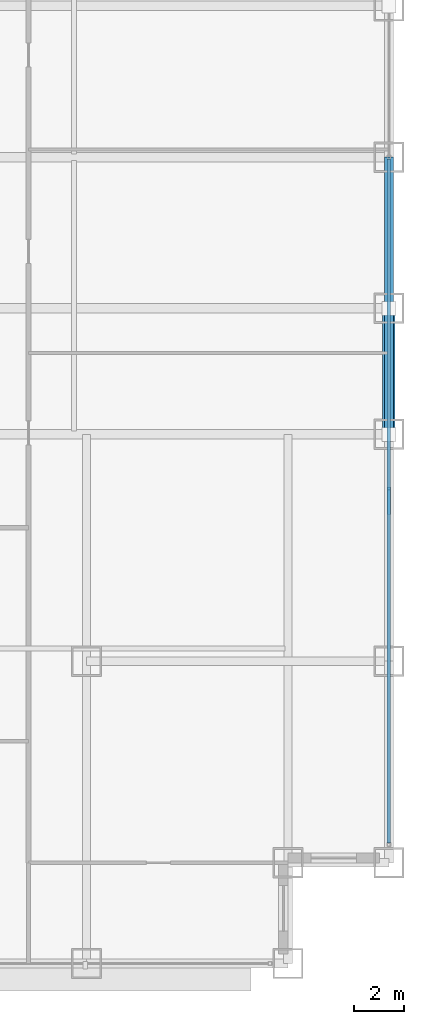
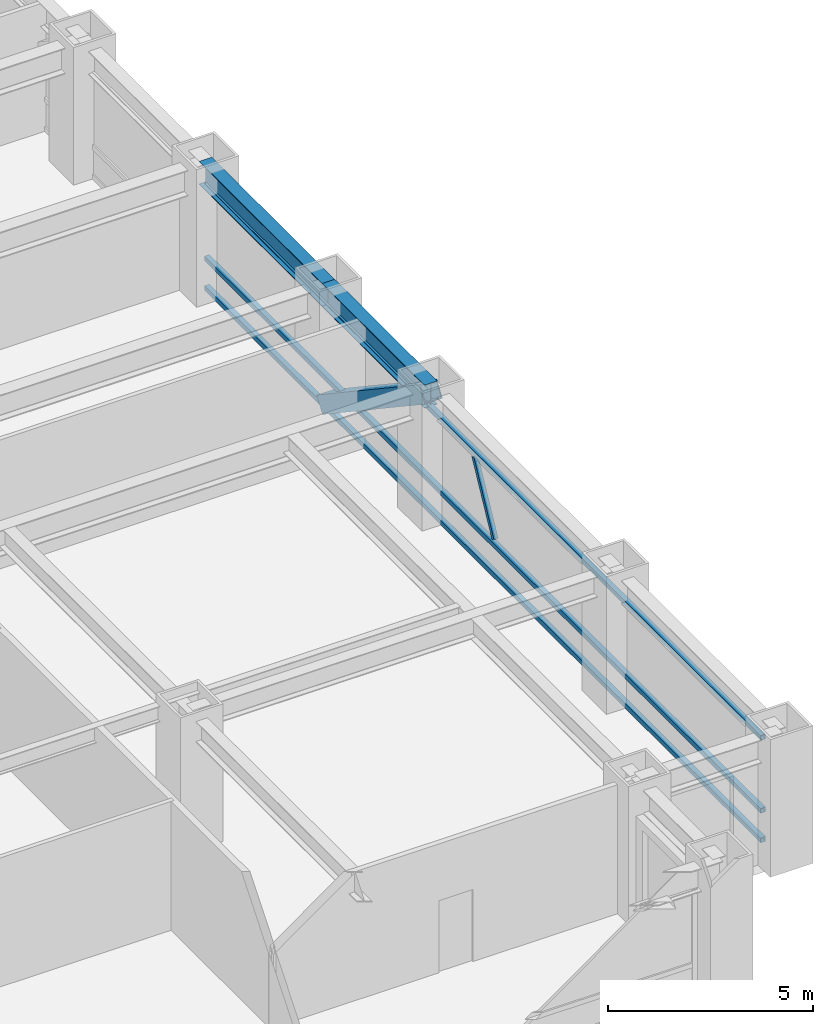
# One storey, part 13 of 32: 5 members, 2 beams, 1 element without a shape of its own.
"""IFC4 building model written with IfcOpenShell, lengths in metres."""

from ifc_helpers import new_model, si_unit, direction, frame, origin, origin_2d, place, context, subcontext, project, spatial, hollow_rectangle, i_section, extrude, source, transform, mapped, material, material_profile, profile_set, type_object, element, aggregate, save


model = new_model("IFC4")

# Units and contexts
model_context = context("Model", 3, precision=1e-05, world=origin(), true_north=direction((0.0, 1.0)))
body_context = subcontext(model_context, "Body", "Model", "MODEL_VIEW")
ifc_project = project(units=[si_unit("LENGTHUNIT", "METRE"), si_unit("AREAUNIT", "SQUARE_METRE"), si_unit("VOLUMEUNIT", "CUBIC_METRE"), si_unit("PLANEANGLEUNIT", "RADIAN"), si_unit("MASSUNIT", "GRAM", prefix="KILO")], contexts=[model_context])

# Site, building, storey
site_placement = place(None, origin())
site = spatial("IfcSite", under=ifc_project, at=site_placement, CompositionType="ELEMENT")
building_placement = place(site_placement, origin())
building = spatial("IfcBuilding", under=site, at=building_placement, Name="Khorayat Bourse Tower", CompositionType="ELEMENT")
storey_placement = place(building_placement, frame((0.0, 0.0, 91.39990234375)))
storey = spatial("IfcBuildingStorey", under=building, at=storey_placement, Name="L20", CompositionType="ELEMENT", Elevation=91.39990234375)

# Beams
ifc_material_1 = material(Name="Steel ASTM A992 Grade 50", Category="steel")
ifc_material_profile_1 = material_profile(ifc_material_1, i_section(OverallWidth=0.35498046875, OverallDepth=0.695068359375, WebThickness=0.015380859375, FlangeThickness=0.02490234375, FilletRadius=0.01806640625, at=origin_2d()), Name="W690X217")
ifc_profile_set_1 = profile_set([ifc_material_profile_1], Name="Steel ASTM A992 Grade 50")
beam_type = type_object("IfcBeamType", Name="BM-SPAN-690", PredefinedType="SPANDREL", material=ifc_profile_set_1)
shared_shape_1 = source(origin(), body_context, "Body", "SweptSolid", [
    extrude(i_section(OverallWidth=0.35498046875, OverallDepth=0.695068359375, WebThickness=0.015380859375, FlangeThickness=0.02490234375, FilletRadius=0.01806640625, at=origin_2d()), origin(), (0.0, 0.0, 1.0), 5.0),
])
beam_1_placement = place(storey_placement, frame((32.0, -11.0, 3.49267578125), z_axis=(0.0, 1.0, 0.0), x_axis=(-1.0, 0.0, 0.0)))
element("IfcBeam", 1, at=beam_1_placement, inside=storey, type_object=beam_type, Name="L20 BM-SPAN-690 BM-L20-SPN-036", PredefinedType="SPANDREL", context=body_context, shape_type="MappedRepresentation", body=[
    mapped(shared_shape_1, transform((0.0, 0.0, 0.0), scale=1.0)),
])
shared_shape_2 = source(origin(), body_context, "Body", "SweptSolid", [
    extrude(i_section(OverallWidth=0.35498046875, OverallDepth=0.695068359375, WebThickness=0.015380859375, FlangeThickness=0.02490234375, FilletRadius=0.01806640625, at=origin_2d()), origin(), (0.0, 0.0, 1.0), 6.0),
])
beam_2_placement = place(storey_placement, frame((32.0, -6.0, 3.49267578125), z_axis=(0.0, 1.0, 0.0), x_axis=(-1.0, 0.0, 0.0)))
element("IfcBeam", 2, at=beam_2_placement, inside=storey, type_object=beam_type, Name="L20 BM-SPAN-690 BM-L20-SPN-037", PredefinedType="SPANDREL", context=body_context, shape_type="MappedRepresentation", body=[
    mapped(shared_shape_2, transform((0.0, 0.0, 0.0), scale=1.0)),
])

# Member
ifc_material_2 = material(Name="Steel EN 10025-4 S460M", Category="steel")
ifc_material_profile_2 = material_profile(ifc_material_2, hollow_rectangle(XDim=0.5, YDim=0.5, WallThickness=0.028076171875, at=origin_2d()), Name="HSS 500x500x28")
ifc_profile_set_2 = profile_set([ifc_material_profile_2], Name="Steel EN 10025-4 S460M")
member_type_1 = type_object("IfcMemberType", Name="MBR-TUBE-500", PredefinedType="BRACE", material=ifc_profile_set_2)
shared_shape_3 = source(origin(), body_context, "Body", "SweptSolid", [
    extrude(hollow_rectangle(XDim=0.5, YDim=0.5, WallThickness=0.028076171875, at=origin_2d()), origin(), (0.0, 0.0, 1.0), 6.012939453125),
])
member_1_placement = place(storey_placement, frame((32.0, -11.0, 3.590087890625), z_axis=(0.0, 0.831531473026, -0.555477640745), x_axis=(-1.0, 0.0, 0.0)))
element("IfcMember", 3, at=member_1_placement, inside=storey, type_object=member_type_1, Name="L20 Perimeter Tube Brace 07", PredefinedType="BRACE", context=body_context, shape_type="MappedRepresentation", body=[
    mapped(shared_shape_3, transform((0.0, 0.0, 0.0), scale=1.0)),
])

# Curtain wall, members
ifc_material_3 = material(Name="Aluminium EN AW-6063 T6", Category="aluminium")
curtain_wall_type = type_object("IfcCurtainWallType", Name="CW-SYS-02", PredefinedType="NOTDEFINED", material=ifc_material_3)
curtain_wall_placement = place(storey_placement, origin())
curtain_wall = element("IfcCurtainWall", 4, at=curtain_wall_placement, inside=storey, type_object=curtain_wall_type, Name="L20 Curtain Wall CW-L20-E1", PredefinedType="NOTDEFINED")
ifc_material_profile_3 = material_profile(ifc_material_3, hollow_rectangle(XDim=0.139892578125, YDim=0.139892578125, WallThickness=0.006103515625, at=origin_2d()), Name="ALU 140x140x6")
ifc_profile_set_3 = profile_set([ifc_material_profile_3], Name="Aluminium EN AW-6063 T6")
member_type_2 = type_object("IfcMemberType", Name="CWT-HORZ-140", PredefinedType="USERDEFINED", material=ifc_profile_set_3)
shared_shape_4 = source(origin(), body_context, "Body", "SweptSolid", [
    extrude(hollow_rectangle(XDim=0.139892578125, YDim=0.139892578125, WallThickness=0.006103515625, at=origin_2d()), origin(), (0.0, 0.0, 1.0), 27.139892578125),
])
member_2_placement = place(storey_placement, frame((32.0, -27.2099609375, 0.070068359375), z_axis=(0.0, 1.0, 0.0), x_axis=(-1.0, 0.0, 0.0)))
member_2 = element("IfcMember", 5, at=member_2_placement, type_object=member_type_2, Name="CW-L20-E1 Horizontal Transom 1-1", ObjectType="TRANSOM", PredefinedType="USERDEFINED", context=body_context, shape_type="MappedRepresentation", body=[
    mapped(shared_shape_4, transform((0.0, 0.0, 0.0), scale=1.0)),
])
member_3_placement = place(storey_placement, frame((32.0, -27.2099609375, 0.9501953125), z_axis=(0.0, 1.0, 0.0), x_axis=(-1.0, 0.0, 0.0)))
member_3 = element("IfcMember", 6, at=member_3_placement, type_object=member_type_2, Name="CW-L20-E1 Horizontal Transom 1-2", ObjectType="TRANSOM", PredefinedType="USERDEFINED", context=body_context, shape_type="MappedRepresentation", body=[
    mapped(shared_shape_4, transform((0.0, 0.0, 0.0), scale=1.0)),
])
member_4_placement = place(storey_placement, frame((32.0, -27.2099609375, 3.1201171875), z_axis=(0.0, 1.0, 0.0), x_axis=(-1.0, 0.0, 0.0)))
member_4 = element("IfcMember", 7, at=member_4_placement, type_object=member_type_2, Name="CW-L20-E1 Horizontal Transom 1-3", ObjectType="TRANSOM", PredefinedType="USERDEFINED", context=body_context, shape_type="MappedRepresentation", body=[
    mapped(shared_shape_4, transform((0.0, 0.0, 0.0), scale=1.0)),
])
ifc_material_profile_4 = material_profile(ifc_material_3, hollow_rectangle(XDim=0.1201171875, YDim=0.1201171875, WallThickness=0.0048828125, at=origin_2d()), Name="ALU 120x120x5")
ifc_profile_set_4 = profile_set([ifc_material_profile_4], Name="Aluminium EN AW-6063 T6")
member_type_3 = type_object("IfcMemberType", Name="CWM-DIAG-120", PredefinedType="MULLION", material=ifc_profile_set_4)
shared_shape_5 = source(origin(), body_context, "Body", "SweptSolid", [
    extrude(hollow_rectangle(XDim=0.1201171875, YDim=0.1201171875, WallThickness=0.0048828125, at=origin_2d()), origin(), (0.0, 0.0, 1.0), 2.11328125),
])
member_5_placement = place(storey_placement, frame((32.0, -14.132080078125, 1.10009765625), z_axis=(0.0, 0.465694055905, 0.884945787207), x_axis=(-1.0, 0.0, 0.0)))
member_5 = element("IfcMember", 8, at=member_5_placement, type_object=member_type_3, Name="CW-L20-E1 Faceted Diagonal Mullion 1", PredefinedType="MULLION", context=body_context, shape_type="MappedRepresentation", body=[
    mapped(shared_shape_5, transform((0.0, 0.0, 0.0), scale=1.0)),
])
aggregate(curtain_wall, [member_2, member_3, member_4, member_5])

save(model, "model.ifc")
